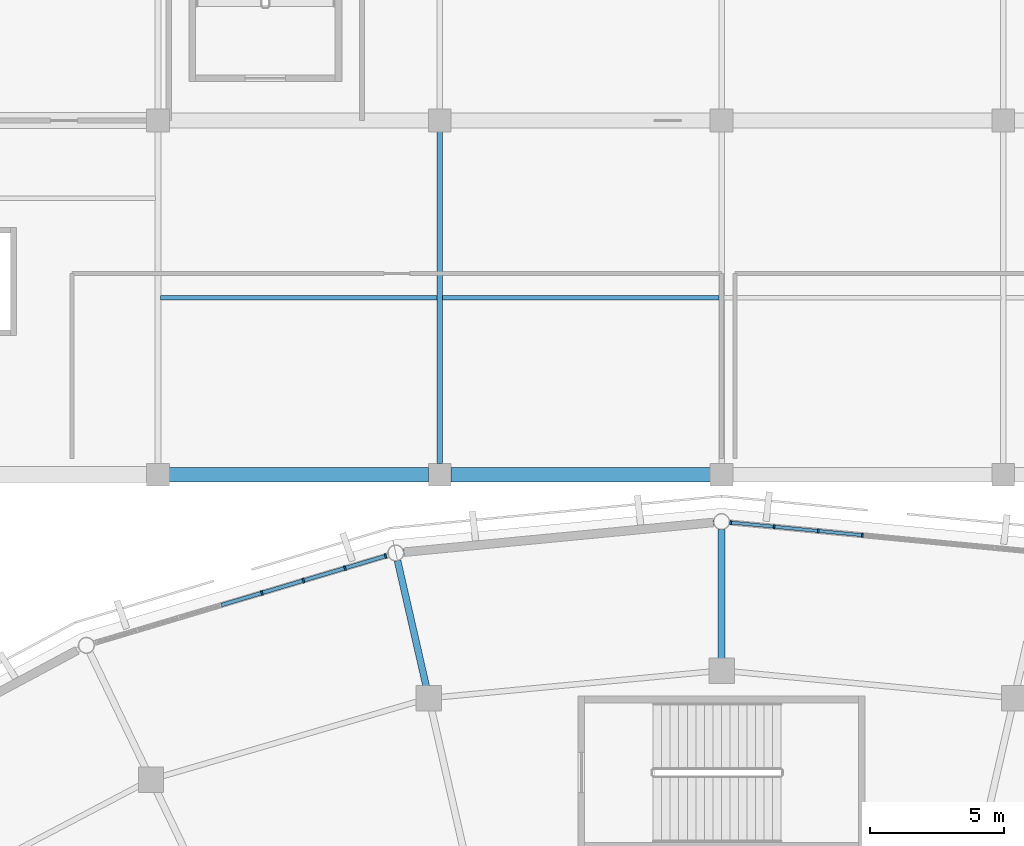
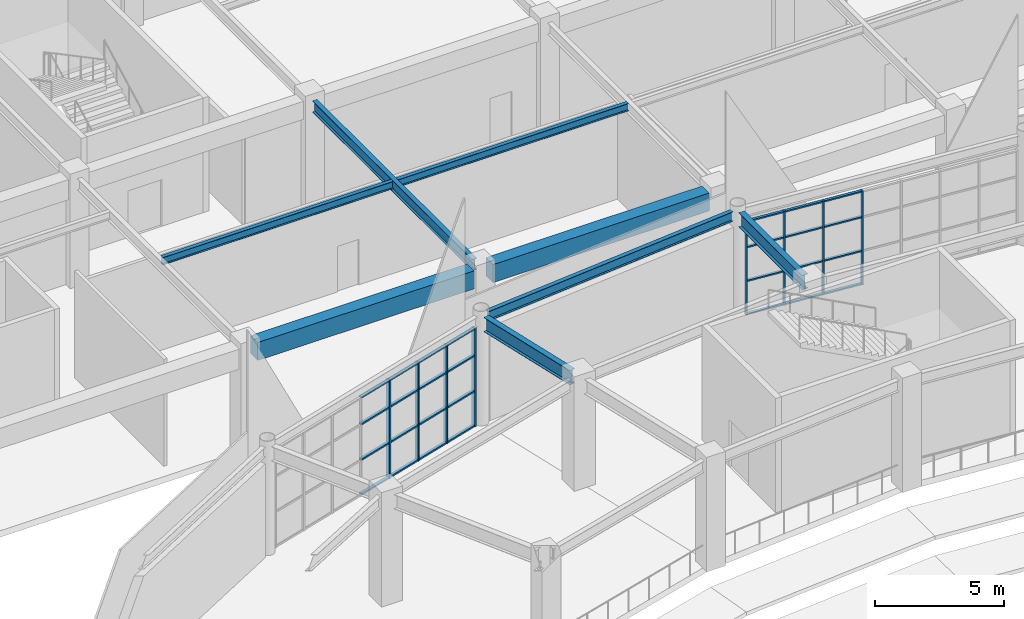
# One storey, part 41 of 120: 36 members, 8 beams, 2 elements without a shape of their own.
"""IFC4 building model written with IfcOpenShell, lengths in metres."""

from ifc_helpers import new_model, si_unit, direction, frame, origin, origin_2d, place, context, subcontext, project, spatial, rectangle, i_section, extrude, material, material_profile, profile_set, type_object, element, aggregate, save


model = new_model("IFC4")

# Units and contexts
model_context = context("Model", 3, precision=1e-05, world=origin(), true_north=direction((0.0, 1.0)))
body_context = subcontext(model_context, "Body", "Model", "MODEL_VIEW")
ifc_project = project(units=[si_unit("LENGTHUNIT", "METRE"), si_unit("AREAUNIT", "SQUARE_METRE"), si_unit("VOLUMEUNIT", "CUBIC_METRE"), si_unit("PLANEANGLEUNIT", "RADIAN"), si_unit("MASSUNIT", "GRAM", prefix="KILO")], contexts=[model_context])

# Site, building, storey
site_placement = place(None, origin())
site = spatial("IfcSite", under=ifc_project, at=site_placement, CompositionType="ELEMENT")
building_placement = place(site_placement, origin())
building = spatial("IfcBuilding", under=site, at=building_placement, Name="Cuetzalor Civic Arena", CompositionType="ELEMENT")
storey_placement = place(building_placement, frame((0.0, 0.0, 6.0)))
storey = spatial("IfcBuildingStorey", under=building, at=storey_placement, Name="L01", CompositionType="ELEMENT", Elevation=6.0)

# Beams
ifc_material_1 = material(Name="Concrete C40/50", Category="concrete")
ifc_material_profile_1 = material_profile(ifc_material_1, rectangle(XDim=0.550048828125, YDim=0.85009765625, at=origin_2d()), Name="RC 550x850")
ifc_profile_set_1 = profile_set([ifc_material_profile_1], Name="Concrete C40/50")
beam_type_1 = type_object("IfcBeamType", Name="ConcreteFrameBeam_550x850", PredefinedType="BEAM", material=ifc_profile_set_1)
for number, where, z_axis, x_axis, name in (
    (1, (-20.5849609375, 48.300048828125, 4.655029296875), (1.0, 0.0, 0.0), (0.0, 1.0, 0.0), "Frame Girder V5-L01-X0512"),
    (2, (-10.0849609375, 48.300048828125, 4.655029296875), (1.0, 0.0, 0.0), (0.0, 1.0, 0.0), "Frame Girder V5-L01-X0513"),
):
    element("IfcBeam", number, at=place(storey_placement, frame(where, z_axis=z_axis, x_axis=x_axis)), inside=storey, type_object=beam_type_1, Name=name, PredefinedType="BEAM", context=body_context, shape_type="SweptSolid", body=[
        extrude(rectangle(XDim=0.550048828125, YDim=0.85009765625, at=origin_2d()), origin(), (0.0, 0.0, 1.0), 9.669921875),
    ])

# Curtain wall, members
ifc_material_2 = material(Name="Anodised dark bronze aluminium and low-E solar glass", Category="aluminium")
curtain_wall_type_1 = type_object("IfcCurtainWallType", Name="UnitisedCW_11550x4450", PredefinedType="USERDEFINED", material=ifc_material_2)
curtain_wall_1_placement = place(storey_placement, origin())
curtain_wall_1 = element("IfcCurtainWall", 3, at=curtain_wall_1_placement, inside=storey, type_object=curtain_wall_type_1, Name="Drum Triangle Foyer Curtain Wall L01-023", ObjectType="UNITISED CURTAIN WALL", PredefinedType="USERDEFINED")
ifc_material_3 = material(Name="Anodised dark bronze aluminium", Category="aluminium")
ifc_material_profile_2 = material_profile(ifc_material_3, rectangle(XDim=0.06494140625, YDim=0.14990234375, at=origin_2d()), Name="ALU MULLION 65x150")
ifc_profile_set_2 = profile_set([ifc_material_profile_2], Name="Anodised dark bronze aluminium")
member_type_1 = type_object("IfcMemberType", Name="CurtainWallMullion_60x150", PredefinedType="MULLION", material=ifc_profile_set_2)
member_1_placement = place(storey_placement, frame((0.345703125, 46.516845703125, 0.0), z_axis=(0.0, 0.0, 1.0), x_axis=(0.995409139996, -0.095711253324, 0.0)))
member_1 = element("IfcMember", 4, at=member_1_placement, type_object=member_type_1, Name="CW-08 mullion 1", PredefinedType="MULLION", context=body_context, shape_type="SweptSolid", body=[
    extrude(rectangle(XDim=0.06494140625, YDim=0.14990234375, at=origin_2d()), origin(), (0.0, 0.0, 1.0), 4.431884765625),
])
member_2_placement = place(storey_placement, frame((1.957763671875, 46.36181640625, 0.0), z_axis=(0.0, 0.0, 1.0), x_axis=(0.995409139996, -0.095711253324, 0.0)))
member_2 = element("IfcMember", 5, at=member_2_placement, type_object=member_type_1, Name="CW-08 mullion 2", PredefinedType="MULLION", context=body_context, shape_type="SweptSolid", body=[
    extrude(rectangle(XDim=0.06494140625, YDim=0.14990234375, at=origin_2d()), origin(), (0.0, 0.0, 1.0), 4.431884765625),
])
member_3_placement = place(storey_placement, frame((3.602294921875, 46.20361328125, 0.0), z_axis=(0.0, 0.0, 1.0), x_axis=(0.995409139996, -0.095711253324, 0.0)))
member_3 = element("IfcMember", 6, at=member_3_placement, type_object=member_type_1, Name="CW-08 mullion 3", PredefinedType="MULLION", context=body_context, shape_type="SweptSolid", body=[
    extrude(rectangle(XDim=0.06494140625, YDim=0.14990234375, at=origin_2d()), origin(), (0.0, 0.0, 1.0), 4.431884765625),
])
member_4_placement = place(storey_placement, frame((5.2470703125, 46.04541015625, 0.0), z_axis=(0.0, 0.0, 1.0), x_axis=(0.995409139996, -0.095711253324, 0.0)))
member_4 = element("IfcMember", 7, at=member_4_placement, type_object=member_type_1, Name="CW-08 mullion 4", PredefinedType="MULLION", context=body_context, shape_type="SweptSolid", body=[
    extrude(rectangle(XDim=0.06494140625, YDim=0.14990234375, at=origin_2d()), origin(), (0.0, 0.0, 1.0), 4.431884765625),
])

ifc_material_4 = material(Name="Anodised dark bronze aluminium and low-E solar glass", Category="aluminium")
curtain_wall_type_2 = type_object("IfcCurtainWallType", Name="UnitisedCW_11300x4650", PredefinedType="USERDEFINED", material=ifc_material_4)
curtain_wall_2_placement = place(storey_placement, origin())
curtain_wall_2 = element("IfcCurtainWall", 8, at=curtain_wall_2_placement, inside=storey, type_object=curtain_wall_type_2, Name="Drum Triangle Foyer Curtain Wall L01-024", ObjectType="UNITISED CURTAIN WALL", PredefinedType="USERDEFINED")
ifc_material_5 = material(Name="Anodised dark bronze aluminium", Category="aluminium")
ifc_material_profile_3 = material_profile(ifc_material_5, rectangle(XDim=0.070068359375, YDim=0.179931640625, at=origin_2d()), Name="ALU MULLION 70x180")
ifc_profile_set_3 = profile_set([ifc_material_profile_3], Name="Anodised dark bronze aluminium")
member_type_2 = type_object("IfcMemberType", Name="CurtainWallMullion_65x180", PredefinedType="MULLION", material=ifc_profile_set_3)
member_5_placement = place(storey_placement, frame((-17.12939453125, 43.892578125, 0.0), z_axis=(0.0, 0.0, 1.0), x_axis=(0.958193690548, 0.286120344251, 0.0)))
member_5 = element("IfcMember", 9, at=member_5_placement, type_object=member_type_2, Name="CW-09 mullion 5", PredefinedType="MULLION", context=body_context, shape_type="SweptSolid", body=[
    extrude(rectangle(XDim=0.070068359375, YDim=0.179931640625, at=origin_2d()), origin(), (0.0, 0.0, 1.0), 4.653076171875),
])
member_6_placement = place(storey_placement, frame((-15.581298828125, 44.35498046875, 0.0), z_axis=(0.0, 0.0, 1.0), x_axis=(0.958193690548, 0.286120344251, 0.0)))
member_6 = element("IfcMember", 10, at=member_6_placement, type_object=member_type_2, Name="CW-09 mullion 6", PredefinedType="MULLION", context=body_context, shape_type="SweptSolid", body=[
    extrude(rectangle(XDim=0.070068359375, YDim=0.179931640625, at=origin_2d()), origin(), (0.0, 0.0, 1.0), 4.653076171875),
])
member_7_placement = place(storey_placement, frame((-14.032958984375, 44.817138671875, 0.0), z_axis=(0.0, 0.0, 1.0), x_axis=(0.958193690548, 0.286120344251, 0.0)))
member_7 = element("IfcMember", 11, at=member_7_placement, type_object=member_type_2, Name="CW-09 mullion 7", PredefinedType="MULLION", context=body_context, shape_type="SweptSolid", body=[
    extrude(rectangle(XDim=0.070068359375, YDim=0.179931640625, at=origin_2d()), origin(), (0.0, 0.0, 1.0), 4.653076171875),
])
member_8_placement = place(storey_placement, frame((-12.5185546875, 45.26953125, 0.0), z_axis=(0.0, 0.0, 1.0), x_axis=(0.958193690548, 0.286120344251, 0.0)))
member_8 = element("IfcMember", 12, at=member_8_placement, type_object=member_type_2, Name="CW-09 mullion 8", PredefinedType="MULLION", context=body_context, shape_type="SweptSolid", body=[
    extrude(rectangle(XDim=0.070068359375, YDim=0.179931640625, at=origin_2d()), origin(), (0.0, 0.0, 1.0), 4.653076171875),
])

# Member
ifc_material_6 = material(Name="Anodised dark bronze aluminium", Category="aluminium")
ifc_material_profile_4 = material_profile(ifc_material_6, rectangle(XDim=0.1201171875, YDim=0.06494140625, at=origin_2d()), Name="ALU TRANSOM 65x120")
ifc_profile_set_4 = profile_set([ifc_material_profile_4], Name="Anodised dark bronze aluminium")
member_type_3 = type_object("IfcMemberType", Name="CurtainWallTransom_60x120", PredefinedType="USERDEFINED", material=ifc_profile_set_4)
member_9_placement = place(storey_placement, frame((0.3779296875, 46.513671875, 0.032470703125), z_axis=(0.995416793915, -0.095631618157, 0.0), x_axis=(0.095631618157, 0.995416793915, 0.0)))
member_9 = element("IfcMember", 13, at=member_9_placement, type_object=member_type_3, Name="CW-08 transom 1.1", ObjectType="TRANSOM", PredefinedType="USERDEFINED", context=body_context, shape_type="SweptSolid", body=[
    extrude(rectangle(XDim=0.1201171875, YDim=0.06494140625, at=origin_2d()), origin(), (0.0, 0.0, 1.0), 1.5546875),
])

member_10_placement = place(storey_placement, frame((0.3779296875, 46.513671875, 1.595947265625), z_axis=(0.995416793915, -0.095631618157, 0.0), x_axis=(0.095631618157, 0.995416793915, 0.0)))
member_10 = element("IfcMember", 14, at=member_10_placement, type_object=member_type_3, Name="CW-08 transom 1.2", ObjectType="TRANSOM", PredefinedType="USERDEFINED", context=body_context, shape_type="SweptSolid", body=[
    extrude(rectangle(XDim=0.1201171875, YDim=0.06494140625, at=origin_2d()), origin(), (0.0, 0.0, 1.0), 1.5546875),
])

member_11_placement = place(storey_placement, frame((0.3779296875, 46.513671875, 3.19091796875), z_axis=(0.995416793915, -0.095631618157, 0.0), x_axis=(0.095631618157, 0.995416793915, 0.0)))
member_11 = element("IfcMember", 15, at=member_11_placement, type_object=member_type_3, Name="CW-08 transom 1.3", ObjectType="TRANSOM", PredefinedType="USERDEFINED", context=body_context, shape_type="SweptSolid", body=[
    extrude(rectangle(XDim=0.1201171875, YDim=0.06494140625, at=origin_2d()), origin(), (0.0, 0.0, 1.0), 1.5546875),
])

member_12_placement = place(storey_placement, frame((0.3779296875, 46.513671875, 4.3994140625), z_axis=(0.995416793915, -0.095631618157, 0.0), x_axis=(0.095631618157, 0.995416793915, 0.0)))
member_12 = element("IfcMember", 16, at=member_12_placement, type_object=member_type_3, Name="CW-08 transom 1.4", ObjectType="TRANSOM", PredefinedType="USERDEFINED", context=body_context, shape_type="SweptSolid", body=[
    extrude(rectangle(XDim=0.1201171875, YDim=0.06494140625, at=origin_2d()), origin(), (0.0, 0.0, 1.0), 1.5546875),
])

member_13_placement = place(storey_placement, frame((1.990234375, 46.358642578125, 0.032470703125), z_axis=(0.995412128785, -0.095680164442, 0.0), x_axis=(0.095680164442, 0.995412128785, 0.0)))
member_13 = element("IfcMember", 17, at=member_13_placement, type_object=member_type_3, Name="CW-08 transom 2.1", ObjectType="TRANSOM", PredefinedType="USERDEFINED", context=body_context, shape_type="SweptSolid", body=[
    extrude(rectangle(XDim=0.1201171875, YDim=0.06494140625, at=origin_2d()), origin(), (0.0, 0.0, 1.0), 1.587158203125),
])

member_14_placement = place(storey_placement, frame((1.990234375, 46.358642578125, 1.595947265625), z_axis=(0.995412128785, -0.095680164442, 0.0), x_axis=(0.095680164442, 0.995412128785, 0.0)))
member_14 = element("IfcMember", 18, at=member_14_placement, type_object=member_type_3, Name="CW-08 transom 2.2", ObjectType="TRANSOM", PredefinedType="USERDEFINED", context=body_context, shape_type="SweptSolid", body=[
    extrude(rectangle(XDim=0.1201171875, YDim=0.06494140625, at=origin_2d()), origin(), (0.0, 0.0, 1.0), 1.587158203125),
])

member_15_placement = place(storey_placement, frame((1.990234375, 46.358642578125, 3.19091796875), z_axis=(0.995412128785, -0.095680164442, 0.0), x_axis=(0.095680164442, 0.995412128785, 0.0)))
member_15 = element("IfcMember", 19, at=member_15_placement, type_object=member_type_3, Name="CW-08 transom 2.3", ObjectType="TRANSOM", PredefinedType="USERDEFINED", context=body_context, shape_type="SweptSolid", body=[
    extrude(rectangle(XDim=0.1201171875, YDim=0.06494140625, at=origin_2d()), origin(), (0.0, 0.0, 1.0), 1.587158203125),
])

member_16_placement = place(storey_placement, frame((1.990234375, 46.358642578125, 4.3994140625), z_axis=(0.995412128785, -0.095680164442, 0.0), x_axis=(0.095680164442, 0.995412128785, 0.0)))
member_16 = element("IfcMember", 20, at=member_16_placement, type_object=member_type_3, Name="CW-08 transom 2.4", ObjectType="TRANSOM", PredefinedType="USERDEFINED", context=body_context, shape_type="SweptSolid", body=[
    extrude(rectangle(XDim=0.1201171875, YDim=0.06494140625, at=origin_2d()), origin(), (0.0, 0.0, 1.0), 1.587158203125),
])

member_17_placement = place(storey_placement, frame((3.634765625, 46.200439453125, 0.032470703125), z_axis=(0.995412128785, -0.095680164442, 0.0), x_axis=(0.095680164442, 0.995412128785, 0.0)))
member_17 = element("IfcMember", 21, at=member_17_placement, type_object=member_type_3, Name="CW-08 transom 3.1", ObjectType="TRANSOM", PredefinedType="USERDEFINED", context=body_context, shape_type="SweptSolid", body=[
    extrude(rectangle(XDim=0.1201171875, YDim=0.06494140625, at=origin_2d()), origin(), (0.0, 0.0, 1.0), 1.587158203125),
])

member_18_placement = place(storey_placement, frame((3.634765625, 46.200439453125, 1.595947265625), z_axis=(0.995412128785, -0.095680164442, 0.0), x_axis=(0.095680164442, 0.995412128785, 0.0)))
member_18 = element("IfcMember", 22, at=member_18_placement, type_object=member_type_3, Name="CW-08 transom 3.2", ObjectType="TRANSOM", PredefinedType="USERDEFINED", context=body_context, shape_type="SweptSolid", body=[
    extrude(rectangle(XDim=0.1201171875, YDim=0.06494140625, at=origin_2d()), origin(), (0.0, 0.0, 1.0), 1.587158203125),
])

member_19_placement = place(storey_placement, frame((3.634765625, 46.200439453125, 3.19091796875), z_axis=(0.995412128785, -0.095680164442, 0.0), x_axis=(0.095680164442, 0.995412128785, 0.0)))
member_19 = element("IfcMember", 23, at=member_19_placement, type_object=member_type_3, Name="CW-08 transom 3.3", ObjectType="TRANSOM", PredefinedType="USERDEFINED", context=body_context, shape_type="SweptSolid", body=[
    extrude(rectangle(XDim=0.1201171875, YDim=0.06494140625, at=origin_2d()), origin(), (0.0, 0.0, 1.0), 1.587158203125),
])

member_20_placement = place(storey_placement, frame((3.634765625, 46.200439453125, 4.3994140625), z_axis=(0.995412128785, -0.095680164442, 0.0), x_axis=(0.095680164442, 0.995412128785, 0.0)))
member_20 = element("IfcMember", 24, at=member_20_placement, type_object=member_type_3, Name="CW-08 transom 3.4", ObjectType="TRANSOM", PredefinedType="USERDEFINED", context=body_context, shape_type="SweptSolid", body=[
    extrude(rectangle(XDim=0.1201171875, YDim=0.06494140625, at=origin_2d()), origin(), (0.0, 0.0, 1.0), 1.587158203125),
])

aggregate(curtain_wall_1, [member_1, member_2, member_3, member_4, member_9, member_10, member_11, member_12, member_13, member_14, member_15, member_16, member_17, member_18, member_19, member_20])

ifc_material_7 = material(Name="Anodised dark bronze aluminium", Category="aluminium")
ifc_material_profile_5 = material_profile(ifc_material_7, rectangle(XDim=0.139892578125, YDim=0.070068359375, at=origin_2d()), Name="ALU TRANSOM 70x140")
ifc_profile_set_5 = profile_set([ifc_material_profile_5], Name="Anodised dark bronze aluminium")
member_type_4 = type_object("IfcMemberType", Name="CurtainWallTransom_65x140", PredefinedType="USERDEFINED", material=ifc_profile_set_5)
member_21_placement = place(storey_placement, frame((-18.64404296875, 43.4404296875, 0.034912109375), z_axis=(0.958220951688, 0.286029033049, 0.0), x_axis=(-0.286029033049, 0.958220951688, 0.0)))
member_21 = element("IfcMember", 25, at=member_21_placement, type_object=member_type_4, Name="CW-09 transom 4.1", ObjectType="TRANSOM", PredefinedType="USERDEFINED", context=body_context, shape_type="SweptSolid", body=[
    extrude(rectangle(XDim=0.139892578125, YDim=0.070068359375, at=origin_2d()), origin(), (0.0, 0.0, 1.0), 1.5458984375),
])

member_22_placement = place(storey_placement, frame((-18.64404296875, 43.4404296875, 1.675048828125), z_axis=(0.958220951688, 0.286029033049, 0.0), x_axis=(-0.286029033049, 0.958220951688, 0.0)))
member_22 = element("IfcMember", 26, at=member_22_placement, type_object=member_type_4, Name="CW-09 transom 4.2", ObjectType="TRANSOM", PredefinedType="USERDEFINED", context=body_context, shape_type="SweptSolid", body=[
    extrude(rectangle(XDim=0.139892578125, YDim=0.070068359375, at=origin_2d()), origin(), (0.0, 0.0, 1.0), 1.5458984375),
])

member_23_placement = place(storey_placement, frame((-18.64404296875, 43.4404296875, 3.35009765625), z_axis=(0.958220951688, 0.286029033049, 0.0), x_axis=(-0.286029033049, 0.958220951688, 0.0)))
member_23 = element("IfcMember", 27, at=member_23_placement, type_object=member_type_4, Name="CW-09 transom 4.3", ObjectType="TRANSOM", PredefinedType="USERDEFINED", context=body_context, shape_type="SweptSolid", body=[
    extrude(rectangle(XDim=0.139892578125, YDim=0.070068359375, at=origin_2d()), origin(), (0.0, 0.0, 1.0), 1.5458984375),
])

member_24_placement = place(storey_placement, frame((-18.64404296875, 43.4404296875, 4.617919921875), z_axis=(0.958220951688, 0.286029033049, 0.0), x_axis=(-0.286029033049, 0.958220951688, 0.0)))
member_24 = element("IfcMember", 28, at=member_24_placement, type_object=member_type_4, Name="CW-09 transom 4.4", ObjectType="TRANSOM", PredefinedType="USERDEFINED", context=body_context, shape_type="SweptSolid", body=[
    extrude(rectangle(XDim=0.139892578125, YDim=0.070068359375, at=origin_2d()), origin(), (0.0, 0.0, 1.0), 1.5458984375),
])

member_25_placement = place(storey_placement, frame((-17.095947265625, 43.902587890625, 0.034912109375), z_axis=(0.958177654678, 0.286174041582, 0.0), x_axis=(-0.286174041582, 0.958177654678, 0.0)))
member_25 = element("IfcMember", 29, at=member_25_placement, type_object=member_type_4, Name="CW-09 transom 5.1", ObjectType="TRANSOM", PredefinedType="USERDEFINED", context=body_context, shape_type="SweptSolid", body=[
    extrude(rectangle(XDim=0.139892578125, YDim=0.070068359375, at=origin_2d()), origin(), (0.0, 0.0, 1.0), 1.5458984375),
])

member_26_placement = place(storey_placement, frame((-17.095947265625, 43.902587890625, 1.675048828125), z_axis=(0.958177654678, 0.286174041582, 0.0), x_axis=(-0.286174041582, 0.958177654678, 0.0)))
member_26 = element("IfcMember", 30, at=member_26_placement, type_object=member_type_4, Name="CW-09 transom 5.2", ObjectType="TRANSOM", PredefinedType="USERDEFINED", context=body_context, shape_type="SweptSolid", body=[
    extrude(rectangle(XDim=0.139892578125, YDim=0.070068359375, at=origin_2d()), origin(), (0.0, 0.0, 1.0), 1.5458984375),
])

member_27_placement = place(storey_placement, frame((-17.095947265625, 43.902587890625, 3.35009765625), z_axis=(0.958177654678, 0.286174041582, 0.0), x_axis=(-0.286174041582, 0.958177654678, 0.0)))
member_27 = element("IfcMember", 31, at=member_27_placement, type_object=member_type_4, Name="CW-09 transom 5.3", ObjectType="TRANSOM", PredefinedType="USERDEFINED", context=body_context, shape_type="SweptSolid", body=[
    extrude(rectangle(XDim=0.139892578125, YDim=0.070068359375, at=origin_2d()), origin(), (0.0, 0.0, 1.0), 1.5458984375),
])

member_28_placement = place(storey_placement, frame((-17.095947265625, 43.902587890625, 4.617919921875), z_axis=(0.958177654678, 0.286174041582, 0.0), x_axis=(-0.286174041582, 0.958177654678, 0.0)))
member_28 = element("IfcMember", 32, at=member_28_placement, type_object=member_type_4, Name="CW-09 transom 5.4", ObjectType="TRANSOM", PredefinedType="USERDEFINED", context=body_context, shape_type="SweptSolid", body=[
    extrude(rectangle(XDim=0.139892578125, YDim=0.070068359375, at=origin_2d()), origin(), (0.0, 0.0, 1.0), 1.5458984375),
])

member_29_placement = place(storey_placement, frame((-15.547607421875, 44.364990234375, 0.034912109375), z_axis=(0.958208027284, 0.286072327302, 0.0), x_axis=(-0.286072327302, 0.958208027284, 0.0)))
member_29 = element("IfcMember", 33, at=member_29_placement, type_object=member_type_4, Name="CW-09 transom 6.1", ObjectType="TRANSOM", PredefinedType="USERDEFINED", context=body_context, shape_type="SweptSolid", body=[
    extrude(rectangle(XDim=0.139892578125, YDim=0.070068359375, at=origin_2d()), origin(), (0.0, 0.0, 1.0), 1.545654296875),
])

member_30_placement = place(storey_placement, frame((-15.547607421875, 44.364990234375, 1.675048828125), z_axis=(0.958208027284, 0.286072327302, 0.0), x_axis=(-0.286072327302, 0.958208027284, 0.0)))
member_30 = element("IfcMember", 34, at=member_30_placement, type_object=member_type_4, Name="CW-09 transom 6.2", ObjectType="TRANSOM", PredefinedType="USERDEFINED", context=body_context, shape_type="SweptSolid", body=[
    extrude(rectangle(XDim=0.139892578125, YDim=0.070068359375, at=origin_2d()), origin(), (0.0, 0.0, 1.0), 1.545654296875),
])

member_31_placement = place(storey_placement, frame((-15.547607421875, 44.364990234375, 3.35009765625), z_axis=(0.958208027284, 0.286072327302, 0.0), x_axis=(-0.286072327302, 0.958208027284, 0.0)))
member_31 = element("IfcMember", 35, at=member_31_placement, type_object=member_type_4, Name="CW-09 transom 6.3", ObjectType="TRANSOM", PredefinedType="USERDEFINED", context=body_context, shape_type="SweptSolid", body=[
    extrude(rectangle(XDim=0.139892578125, YDim=0.070068359375, at=origin_2d()), origin(), (0.0, 0.0, 1.0), 1.545654296875),
])

member_32_placement = place(storey_placement, frame((-15.547607421875, 44.364990234375, 4.617919921875), z_axis=(0.958208027284, 0.286072327302, 0.0), x_axis=(-0.286072327302, 0.958208027284, 0.0)))
member_32 = element("IfcMember", 36, at=member_32_placement, type_object=member_type_4, Name="CW-09 transom 6.4", ObjectType="TRANSOM", PredefinedType="USERDEFINED", context=body_context, shape_type="SweptSolid", body=[
    extrude(rectangle(XDim=0.139892578125, YDim=0.070068359375, at=origin_2d()), origin(), (0.0, 0.0, 1.0), 1.545654296875),
])

member_33_placement = place(storey_placement, frame((-13.99951171875, 44.8271484375, 0.034912109375), z_axis=(0.958168093169, 0.286206053804, 0.0), x_axis=(-0.286206053804, 0.958168093169, 0.0)))
member_33 = element("IfcMember", 37, at=member_33_placement, type_object=member_type_4, Name="CW-09 transom 7.1", ObjectType="TRANSOM", PredefinedType="USERDEFINED", context=body_context, shape_type="SweptSolid", body=[
    extrude(rectangle(XDim=0.139892578125, YDim=0.070068359375, at=origin_2d()), origin(), (0.0, 0.0, 1.0), 1.5107421875),
])

member_34_placement = place(storey_placement, frame((-13.99951171875, 44.8271484375, 1.675048828125), z_axis=(0.958168093169, 0.286206053804, 0.0), x_axis=(-0.286206053804, 0.958168093169, 0.0)))
member_34 = element("IfcMember", 38, at=member_34_placement, type_object=member_type_4, Name="CW-09 transom 7.2", ObjectType="TRANSOM", PredefinedType="USERDEFINED", context=body_context, shape_type="SweptSolid", body=[
    extrude(rectangle(XDim=0.139892578125, YDim=0.070068359375, at=origin_2d()), origin(), (0.0, 0.0, 1.0), 1.5107421875),
])

member_35_placement = place(storey_placement, frame((-13.99951171875, 44.8271484375, 3.35009765625), z_axis=(0.958168093169, 0.286206053804, 0.0), x_axis=(-0.286206053804, 0.958168093169, 0.0)))
member_35 = element("IfcMember", 39, at=member_35_placement, type_object=member_type_4, Name="CW-09 transom 7.3", ObjectType="TRANSOM", PredefinedType="USERDEFINED", context=body_context, shape_type="SweptSolid", body=[
    extrude(rectangle(XDim=0.139892578125, YDim=0.070068359375, at=origin_2d()), origin(), (0.0, 0.0, 1.0), 1.5107421875),
])

member_36_placement = place(storey_placement, frame((-13.99951171875, 44.8271484375, 4.617919921875), z_axis=(0.958168093169, 0.286206053804, 0.0), x_axis=(-0.286206053804, 0.958168093169, 0.0)))
member_36 = element("IfcMember", 40, at=member_36_placement, type_object=member_type_4, Name="CW-09 transom 7.4", ObjectType="TRANSOM", PredefinedType="USERDEFINED", context=body_context, shape_type="SweptSolid", body=[
    extrude(rectangle(XDim=0.139892578125, YDim=0.070068359375, at=origin_2d()), origin(), (0.0, 0.0, 1.0), 1.5107421875),
])

aggregate(curtain_wall_2, [member_5, member_6, member_7, member_8, member_21, member_22, member_23, member_24, member_25, member_26, member_27, member_28, member_29, member_30, member_31, member_32, member_33, member_34, member_35, member_36])

# Beams
ifc_material_8 = material(Name="Steel S355", Category="steel")
ifc_material_profile_6 = material_profile(ifc_material_8, i_section(OverallWidth=0.18994140625, OverallDepth=0.45703125, WebThickness=0.009033203125, FlangeThickness=0.014404296875, at=origin_2d()), Name="W460x74")
ifc_profile_set_6 = profile_set([ifc_material_profile_6], Name="Steel S355")
beam_type_2 = type_object("IfcBeamType", Name="FacadeSpandrelBeam_W460", PredefinedType="SPANDREL", material=ifc_profile_set_6)
beam_1_placement = place(storey_placement, frame((-0.288818359375, 46.522216796875, 4.8916015625), z_axis=(-0.995409568272, -0.095706799095, 0.0), x_axis=(0.095706799095, -0.995409568272, 0.0)))
element("IfcBeam", 41, at=beam_1_placement, inside=storey, type_object=beam_type_2, Name="Drum Perimeter Spandrel L01-S08", PredefinedType="SPANDREL", context=body_context, shape_type="SweptSolid", body=[
    extrude(i_section(OverallWidth=0.18994140625, OverallDepth=0.45703125, WebThickness=0.009033203125, FlangeThickness=0.014404296875, at=origin_2d()), origin(), (0.0, 0.0, 1.0), 11.6142578125),
])
ifc_material_9 = material(Name="Steel S355", Category="steel")
ifc_material_profile_7 = material_profile(ifc_material_9, i_section(OverallWidth=0.1708984375, OverallDepth=0.35498046875, WebThickness=0.007080078125, FlangeThickness=0.01171875, at=origin_2d()), Name="W360x51")
ifc_profile_set_7 = profile_set([ifc_material_profile_7], Name="Steel S355")
beam_type_3 = type_object("IfcBeamType", Name="SecondaryFloorJoist_W360", PredefinedType="JOIST", material=ifc_profile_set_7)
for number, where, z_axis, x_axis, name in (
    (42, (-20.903564453125, 54.89990234375, 4.902587890625), (1.0, 0.0, 0.0), (0.0, 1.0, 0.0), "Secondary Floor Joist V5-L01-0164"),
    (43, (-10.403564453125, 54.89990234375, 4.902587890625), (1.0, 0.0, 0.0), (0.0, 1.0, 0.0), "Secondary Floor Joist V5-L01-0165"),
):
    element("IfcBeam", number, at=place(storey_placement, frame(where, z_axis=z_axis, x_axis=x_axis)), inside=storey, type_object=beam_type_3, Name=name, PredefinedType="JOIST", context=body_context, shape_type="SweptSolid", body=[
        extrude(i_section(OverallWidth=0.1708984375, OverallDepth=0.35498046875, WebThickness=0.007080078125, FlangeThickness=0.01171875, at=origin_2d()), origin(), (0.0, 0.0, 1.0), 10.30712890625),
    ])
ifc_material_10 = material(Name="Steel S355", Category="steel")
ifc_material_profile_8 = material_profile(ifc_material_10, i_section(OverallWidth=0.208984375, OverallDepth=0.532958984375, WebThickness=0.01025390625, FlangeThickness=0.015625, at=origin_2d()), Name="W530x92")
ifc_profile_set_8 = profile_set([ifc_material_profile_8], Name="Steel S355")
beam_type_4 = type_object("IfcBeamType", Name="SteelCollarGirder_W530", PredefinedType="BEAM", material=ifc_profile_set_8)
beam_2_placement = place(storey_placement, frame((-10.5, 48.715087890625, 4.8134765625), z_axis=(0.0, 1.0, 0.0), x_axis=(-1.0, 0.0, 0.0)))
element("IfcBeam", 44, at=beam_2_placement, inside=storey, type_object=beam_type_4, Name="Frame Girder V5-L01-Y0555", PredefinedType="BEAM", context=body_context, shape_type="SweptSolid", body=[
    extrude(i_section(OverallWidth=0.208984375, OverallDepth=0.532958984375, WebThickness=0.01025390625, FlangeThickness=0.015625, at=origin_2d()), origin(), (0.0, 0.0, 1.0), 12.369873046875),
])
ifc_material_11 = material(Name="Steel S355", Category="steel")
ifc_material_profile_9 = material_profile(ifc_material_11, i_section(OverallWidth=0.2529296875, OverallDepth=0.677978515625, WebThickness=0.01171875, FlangeThickness=0.016357421875, at=origin_2d()), Name="W690x125")
ifc_profile_set_9 = profile_set([ifc_material_profile_9], Name="Steel S355")
beam_type_5 = type_object("IfcBeamType", Name="SteelPrimaryGirder_W690", PredefinedType="BEAM", material=ifc_profile_set_9)
for number, where, z_axis, x_axis, name in (
    (45, (0.0, 41.360107421875, 4.781005859375), (0.0, 1.0, 0.0), (-1.0, 0.0, 0.0), "Drum Radial Girder L01-R08"),
    (46, (-10.983642578125, 40.322998046875, 4.781005859375), (-0.222519036633, 0.974928345231, 0.0), (-0.974928345231, -0.222519036633, 0.0), "Drum Radial Girder L01-R09"),
):
    element("IfcBeam", number, at=place(storey_placement, frame(where, z_axis=z_axis, x_axis=x_axis)), inside=storey, type_object=beam_type_5, Name=name, PredefinedType="BEAM", context=body_context, shape_type="SweptSolid", body=[
        extrude(i_section(OverallWidth=0.2529296875, OverallDepth=0.677978515625, WebThickness=0.01171875, FlangeThickness=0.016357421875, at=origin_2d()), origin(), (0.0, 0.0, 1.0), 4.89990234375),
    ])

save(model, "model.ifc")
